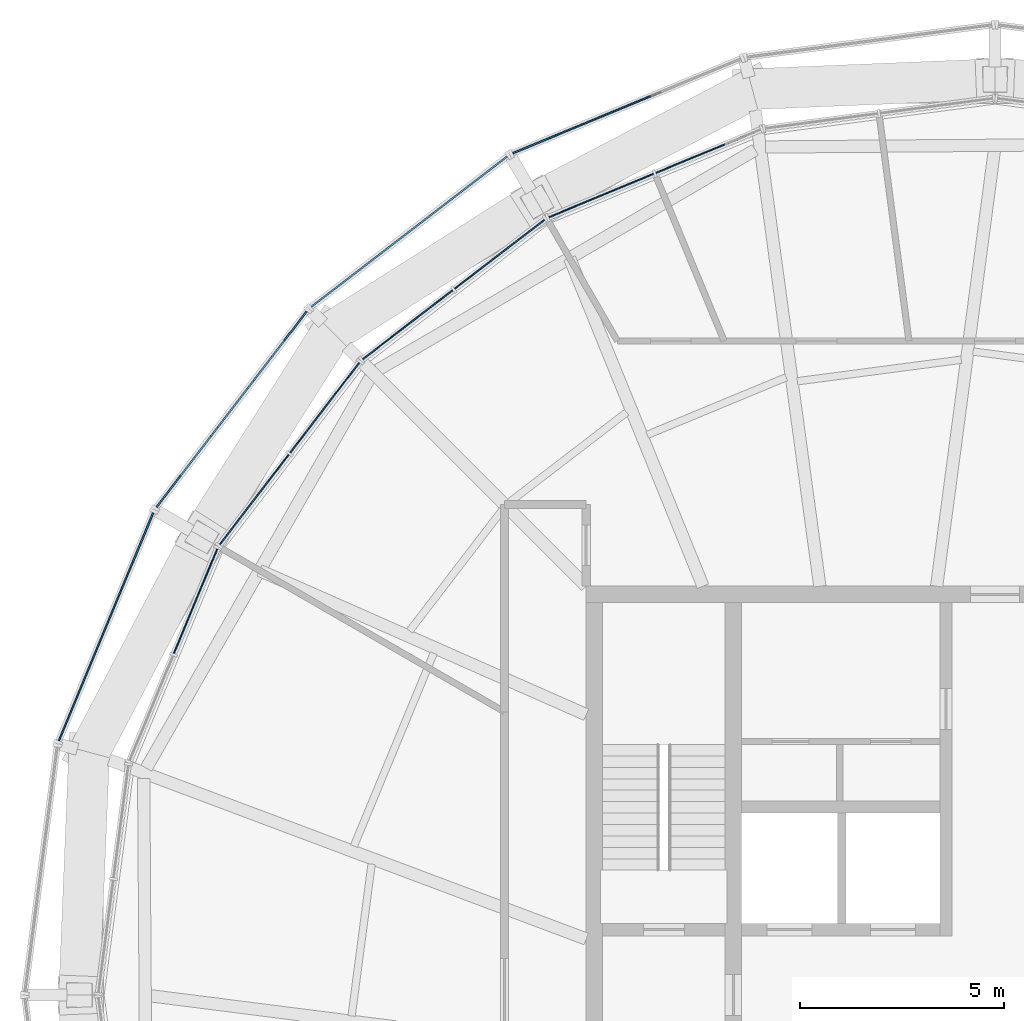
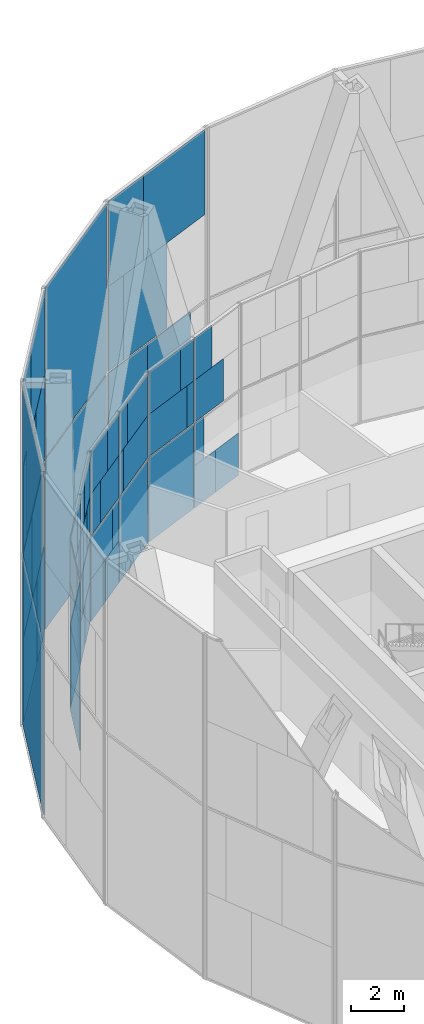
# One storey, part 16 of 22: 62 plates, 8 elements without a shape of their own.
"""IFC4 building model written with IfcOpenShell, lengths in metres."""

from ifc_helpers import new_model, si_unit, direction, frame, origin, origin_2d, place, context, subcontext, project, spatial, rectangle, extrude, material, layer, layer_set, type_object, element, aggregate, save


model = new_model("IFC4")

# Units and contexts
model_context = context("Model", 3, precision=1e-05, world=origin(), true_north=direction((0.0, 1.0)))
body_context = subcontext(model_context, "Body", "Model", "MODEL_VIEW")
ifc_project = project(units=[si_unit("LENGTHUNIT", "METRE"), si_unit("AREAUNIT", "SQUARE_METRE"), si_unit("VOLUMEUNIT", "CUBIC_METRE"), si_unit("PLANEANGLEUNIT", "RADIAN"), si_unit("MASSUNIT", "GRAM", prefix="KILO")], contexts=[model_context])

# Site, building, storey
site_placement = place(None, origin())
site = spatial("IfcSite", under=ifc_project, at=site_placement, CompositionType="ELEMENT")
building_placement = place(site_placement, origin())
building = spatial("IfcBuilding", under=site, at=building_placement, Name="Golbaran Civic Tower", CompositionType="ELEMENT")
storey_placement = place(building_placement, frame((0.0, 0.0, 264.0)))
storey = spatial("IfcBuildingStorey", under=building, at=storey_placement, Name="L64", CompositionType="ELEMENT", Elevation=264.0)

# Curtain wall, plates
ifc_material_1 = material(Name="Aluminium and glass", Category="aluminium")
curtain_wall_type_1 = type_object("IfcCurtainWallType", Name="INNER SKIN CURTAIN WALL EXECUTIVE", PredefinedType="NOTDEFINED", material=ifc_material_1)
curtain_wall_1_placement = place(storey_placement, origin())
curtain_wall_1 = element("IfcCurtainWall", 1, at=curtain_wall_1_placement, inside=storey, type_object=curtain_wall_type_1, Name="Inner skin L64 facet 8 CW2", ObjectType="INNER SKIN", PredefinedType="USERDEFINED")
ifc_material_2 = material(Name="Clear insulating glass", Category="glass")
ifc_layer_1 = layer(ifc_material_2, 0.031982421875, Name="Clear insulating glass")
ifc_layer_set_1 = layer_set([ifc_layer_1], Name="Clear insulating glass")
plate_type_1 = type_object("IfcPlateType", Name="INNER SKIN CURTAIN WALL EXECUTIVE GLAZED PANEL", PredefinedType="CURTAIN_PANEL", material=ifc_layer_set_1)
plate_1_placement = place(storey_placement, frame((-7.67724609375, 20.36328125, 0.06005859375), z_axis=(0.0, 0.0, 1.0), x_axis=(-0.923879532518, -0.382683432349, 0.0)))
plate_1 = element("IfcPlate", 2, at=plate_1_placement, type_object=plate_type_1, Name="CW2 panel 1.1 part 2", PredefinedType="CURTAIN_PANEL", context=body_context, shape_type="SweptSolid", body=[
    extrude(rectangle(XDim=1.339599609375, YDim=0.031982421875, at=origin_2d()), origin(), (0.0, 0.0, 1.0), 1.955078125),
])
plate_2_placement = place(storey_placement, frame((-8.01123046875, 20.22509765625, 2.014892578125), z_axis=(0.0, 0.0, 1.0), x_axis=(-0.923879532518, -0.382683432349, 0.0)))
plate_2 = element("IfcPlate", 3, at=plate_2_placement, type_object=plate_type_1, Name="CW2 panel 1.1 part 4", PredefinedType="CURTAIN_PANEL", context=body_context, shape_type="SweptSolid", body=[
    extrude(rectangle(XDim=0.61669921875, YDim=0.031982421875, at=origin_2d()), origin(), (0.0, 0.0, 1.0), 1.955078125),
])
plate_3_placement = place(storey_placement, frame((-9.6328125, 19.553466796875, 0.06005859375), z_axis=(0.0, 0.0, 1.0), x_axis=(-0.923879532518, -0.382683432349, 0.0)))
plate_3 = element("IfcPlate", 4, at=plate_3_placement, type_object=plate_type_1, Name="CW2 panel 2.1", PredefinedType="CURTAIN_PANEL", context=body_context, shape_type="SweptSolid", body=[
    extrude(rectangle(XDim=2.773681640625, YDim=0.031982421875, at=origin_2d()), origin(), (0.0, 0.0, 1.0), 3.909912109375),
])
plate_4_placement = place(storey_placement, frame((-9.818115234375, 19.4765625, 4.030029296875), z_axis=(0.0, 0.0, 1.0), x_axis=(-0.923879532518, -0.382683432349, 0.0)))
plate_4 = element("IfcPlate", 5, at=plate_4_placement, type_object=plate_type_1, Name="CW2 panel 2.2 part 2", PredefinedType="CURTAIN_PANEL", context=body_context, shape_type="SweptSolid", body=[
    extrude(rectangle(XDim=2.37255859375, YDim=0.031982421875, at=origin_2d()), origin(), (0.0, 0.0, 1.0), 1.955078125),
])
plate_5_placement = place(storey_placement, frame((-9.998779296875, 19.40185546875, 5.98486328125), z_axis=(0.0, 0.0, 1.0), x_axis=(-0.923879532518, -0.382683432349, 0.0)))
plate_5 = element("IfcPlate", 6, at=plate_5_placement, type_object=plate_type_1, Name="CW2 panel 2.2 part 4", PredefinedType="CURTAIN_PANEL", context=body_context, shape_type="SweptSolid", body=[
    extrude(rectangle(XDim=1.981689453125, YDim=0.031982421875, at=origin_2d()), origin(), (0.0, 0.0, 1.0), 1.955078125),
])

curtain_wall_2_placement = place(storey_placement, origin())
curtain_wall_2 = element("IfcCurtainWall", 7, at=curtain_wall_2_placement, inside=storey, type_object=curtain_wall_type_1, Name="Inner skin L64 facet 9 CW2", ObjectType="INNER SKIN", PredefinedType="USERDEFINED")
plate_6_placement = place(storey_placement, frame((-12.117431640625, 18.118896484375, 0.06005859375), z_axis=(0.0, 0.0, 1.0), x_axis=(-0.793353340196, -0.608761429133, 0.0)))
plate_6 = element("IfcPlate", 8, at=plate_6_placement, type_object=plate_type_1, Name="CW2 panel 1.1", PredefinedType="CURTAIN_PANEL", context=body_context, shape_type="SweptSolid", body=[
    extrude(rectangle(XDim=2.773681640625, YDim=0.031982421875, at=origin_2d()), origin(), (0.0, 0.0, 1.0), 3.909912109375),
])
plate_7_placement = place(storey_placement, frame((-11.9580078125, 18.2412109375, 4.030029296875), z_axis=(0.0, 0.0, 1.0), x_axis=(-0.793353340196, -0.608761429133, 0.0)))
plate_7 = element("IfcPlate", 9, at=plate_7_placement, type_object=plate_type_1, Name="CW2 panel 1.2 part 1", PredefinedType="CURTAIN_PANEL", context=body_context, shape_type="SweptSolid", body=[
    extrude(rectangle(XDim=2.3720703125, YDim=0.031982421875, at=origin_2d()), origin(), (0.0, 0.0, 1.0), 1.955078125),
])
plate_8_placement = place(storey_placement, frame((-11.80322265625, 18.35986328125, 5.98486328125), z_axis=(0.0, 0.0, 1.0), x_axis=(-0.793353340196, -0.608761429133, 0.0)))
plate_8 = element("IfcPlate", 10, at=plate_8_placement, type_object=plate_type_1, Name="CW2 panel 1.2 part 3", PredefinedType="CURTAIN_PANEL", context=body_context, shape_type="SweptSolid", body=[
    extrude(rectangle(XDim=1.98193359375, YDim=0.031982421875, at=origin_2d()), origin(), (0.0, 0.0, 1.0), 1.955078125),
])
plate_9_placement = place(storey_placement, frame((-13.796630859375, 16.830322265625, 0.06005859375), z_axis=(0.0, 0.0, 1.0), x_axis=(-0.793353340196, -0.608761429133, 0.0)))
plate_9 = element("IfcPlate", 11, at=plate_9_placement, type_object=plate_type_1, Name="CW2 panel 2.1 part 1", PredefinedType="CURTAIN_PANEL", context=body_context, shape_type="SweptSolid", body=[
    extrude(rectangle(XDim=1.340087890625, YDim=0.031982421875, at=origin_2d()), origin(), (0.0, 0.0, 1.0), 1.955078125),
])
plate_10_placement = place(storey_placement, frame((-13.509521484375, 17.05078125, 2.014892578125), z_axis=(0.0, 0.0, 1.0), x_axis=(-0.793353340196, -0.608761429133, 0.0)))
plate_10 = element("IfcPlate", 12, at=plate_10_placement, type_object=plate_type_1, Name="CW2 panel 2.1 part 3", PredefinedType="CURTAIN_PANEL", context=body_context, shape_type="SweptSolid", body=[
    extrude(rectangle(XDim=0.615966796875, YDim=0.031982421875, at=origin_2d()), origin(), (0.0, 0.0, 1.0), 1.955078125),
])
plate_11_placement = place(storey_placement, frame((-15.090087890625, 15.837890625, 4.030029296875), z_axis=(0.0, 0.0, 1.0), x_axis=(-0.793353340196, -0.608761429133, 0.0)))
plate_11 = element("IfcPlate", 13, at=plate_11_placement, type_object=plate_type_1, Name="CW2 panel 2.2 part 2", PredefinedType="CURTAIN_PANEL", context=body_context, shape_type="SweptSolid", body=[
    extrude(rectangle(XDim=0.946533203125, YDim=0.031982421875, at=origin_2d()), origin(), (0.0, 0.0, 1.0), 1.955078125),
])
plate_12_placement = place(storey_placement, frame((-14.80322265625, 16.057861328125, 5.98486328125), z_axis=(0.0, 0.0, 1.0), x_axis=(-0.793353340196, -0.608761429133, 0.0)))
plate_12 = element("IfcPlate", 14, at=plate_12_placement, type_object=plate_type_1, Name="CW2 panel 2.2 part 4", PredefinedType="CURTAIN_PANEL", context=body_context, shape_type="SweptSolid", body=[
    extrude(rectangle(XDim=1.669677734375, YDim=0.031982421875, at=origin_2d()), origin(), (0.0, 0.0, 1.0), 1.955078125),
])

curtain_wall_3_placement = place(storey_placement, origin())
curtain_wall_3 = element("IfcCurtainWall", 15, at=curtain_wall_3_placement, inside=storey, type_object=curtain_wall_type_1, Name="Inner skin L64 facet 10 CW2", ObjectType="INNER SKIN", PredefinedType="USERDEFINED")
plate_13_placement = place(storey_placement, frame((-16.83056640625, 13.796630859375, 0.06005859375), z_axis=(0.0, 0.0, 1.0), x_axis=(-0.608761429133, -0.793353340196, 0.0)))
plate_13 = element("IfcPlate", 16, at=plate_13_placement, type_object=plate_type_1, Name="CW2 panel 1.1 part 2", PredefinedType="CURTAIN_PANEL", context=body_context, shape_type="SweptSolid", body=[
    extrude(rectangle(XDim=1.339599609375, YDim=0.031982421875, at=origin_2d()), origin(), (0.0, 0.0, 1.0), 1.955078125),
])
plate_14_placement = place(storey_placement, frame((-17.050537109375, 13.509765625, 2.014892578125), z_axis=(0.0, 0.0, 1.0), x_axis=(-0.608761429133, -0.793353340196, 0.0)))
plate_14 = element("IfcPlate", 17, at=plate_14_placement, type_object=plate_type_1, Name="CW2 panel 1.1 part 4", PredefinedType="CURTAIN_PANEL", context=body_context, shape_type="SweptSolid", body=[
    extrude(rectangle(XDim=0.61669921875, YDim=0.031982421875, at=origin_2d()), origin(), (0.0, 0.0, 1.0), 1.955078125),
])
plate_15_placement = place(storey_placement, frame((-15.837646484375, 15.09033203125, 4.030029296875), z_axis=(0.0, 0.0, 1.0), x_axis=(-0.608761429133, -0.793353340196, 0.0)))
plate_15 = element("IfcPlate", 18, at=plate_15_placement, type_object=plate_type_1, Name="CW2 panel 1.2 part 1", PredefinedType="CURTAIN_PANEL", context=body_context, shape_type="SweptSolid", body=[
    extrude(rectangle(XDim=0.946044921875, YDim=0.031982421875, at=origin_2d()), origin(), (0.0, 0.0, 1.0), 1.955078125),
])
plate_16_placement = place(storey_placement, frame((-16.057861328125, 14.803466796875, 5.98486328125), z_axis=(0.0, 0.0, 1.0), x_axis=(-0.608761429133, -0.793353340196, 0.0)))
plate_16 = element("IfcPlate", 19, at=plate_16_placement, type_object=plate_type_1, Name="CW2 panel 1.2 part 3", PredefinedType="CURTAIN_PANEL", context=body_context, shape_type="SweptSolid", body=[
    extrude(rectangle(XDim=1.6689453125, YDim=0.031982421875, at=origin_2d()), origin(), (0.0, 0.0, 1.0), 1.955078125),
])
plate_17_placement = place(storey_placement, frame((-18.118896484375, 12.117431640625, 0.06005859375), z_axis=(0.0, 0.0, 1.0), x_axis=(-0.608761429133, -0.793353340196, 0.0)))
plate_17 = element("IfcPlate", 20, at=plate_17_placement, type_object=plate_type_1, Name="CW2 panel 2.1", PredefinedType="CURTAIN_PANEL", context=body_context, shape_type="SweptSolid", body=[
    extrude(rectangle(XDim=2.773681640625, YDim=0.031982421875, at=origin_2d()), origin(), (0.0, 0.0, 1.0), 3.909912109375),
])
plate_18_placement = place(storey_placement, frame((-18.240966796875, 11.958251953125, 4.030029296875), z_axis=(0.0, 0.0, 1.0), x_axis=(-0.608761429133, -0.793353340196, 0.0)))
plate_18 = element("IfcPlate", 21, at=plate_18_placement, type_object=plate_type_1, Name="CW2 panel 2.2 part 2", PredefinedType="CURTAIN_PANEL", context=body_context, shape_type="SweptSolid", body=[
    extrude(rectangle(XDim=2.37255859375, YDim=0.031982421875, at=origin_2d()), origin(), (0.0, 0.0, 1.0), 1.955078125),
])
plate_19_placement = place(storey_placement, frame((-18.360107421875, 11.80322265625, 5.98486328125), z_axis=(0.0, 0.0, 1.0), x_axis=(-0.608761429133, -0.793353340196, 0.0)))
plate_19 = element("IfcPlate", 22, at=plate_19_placement, type_object=plate_type_1, Name="CW2 panel 2.2 part 4", PredefinedType="CURTAIN_PANEL", context=body_context, shape_type="SweptSolid", body=[
    extrude(rectangle(XDim=1.981689453125, YDim=0.031982421875, at=origin_2d()), origin(), (0.0, 0.0, 1.0), 1.955078125),
])

curtain_wall_4_placement = place(storey_placement, origin())
curtain_wall_4 = element("IfcCurtainWall", 23, at=curtain_wall_4_placement, inside=storey, type_object=curtain_wall_type_1, Name="Inner skin L64 facet 11 CW2", ObjectType="INNER SKIN", PredefinedType="USERDEFINED")
plate_20_placement = place(storey_placement, frame((-19.553466796875, 9.6328125, 0.06005859375), z_axis=(0.0, 0.0, 1.0), x_axis=(-0.382683432349, -0.923879532518, 0.0)))
plate_20 = element("IfcPlate", 24, at=plate_20_placement, type_object=plate_type_1, Name="CW2 panel 1.1", PredefinedType="CURTAIN_PANEL", context=body_context, shape_type="SweptSolid", body=[
    extrude(rectangle(XDim=2.773681640625, YDim=0.031982421875, at=origin_2d()), origin(), (0.0, 0.0, 1.0), 3.909912109375),
])
plate_21_placement = place(storey_placement, frame((-19.4765625, 9.818359375, 4.030029296875), z_axis=(0.0, 0.0, 1.0), x_axis=(-0.382683432349, -0.923879532518, 0.0)))
plate_21 = element("IfcPlate", 25, at=plate_21_placement, type_object=plate_type_1, Name="CW2 panel 1.2 part 1", PredefinedType="CURTAIN_PANEL", context=body_context, shape_type="SweptSolid", body=[
    extrude(rectangle(XDim=2.3720703125, YDim=0.031982421875, at=origin_2d()), origin(), (0.0, 0.0, 1.0), 1.955078125),
])
plate_22_placement = place(storey_placement, frame((-19.40185546875, 9.99853515625, 5.98486328125), z_axis=(0.0, 0.0, 1.0), x_axis=(-0.382683432349, -0.923879532518, 0.0)))
plate_22 = element("IfcPlate", 26, at=plate_22_placement, type_object=plate_type_1, Name="CW2 panel 1.2 part 3", PredefinedType="CURTAIN_PANEL", context=body_context, shape_type="SweptSolid", body=[
    extrude(rectangle(XDim=1.98193359375, YDim=0.031982421875, at=origin_2d()), origin(), (0.0, 0.0, 1.0), 1.955078125),
])

# Plate
ifc_material_3 = material(Name="Aluminium faced opaque infill panel", Category="aluminium")
ifc_layer_2 = layer(ifc_material_3, 0.031982421875, Name="Aluminium faced opaque infill panel")
ifc_layer_set_2 = layer_set([ifc_layer_2], Name="Aluminium faced opaque infill panel")
plate_type_2 = type_object("IfcPlateType", Name="INNER SKIN CURTAIN WALL EXECUTIVE OPAQUE INFILL PANEL", PredefinedType="CURTAIN_PANEL", material=ifc_layer_set_2)
plate_23_placement = place(storey_placement, frame((-6.39599609375, 20.89404296875, 0.06005859375), z_axis=(0.0, 0.0, 1.0), x_axis=(-0.923879532518, -0.382683432349, 0.0)))
plate_23 = element("IfcPlate", 27, at=plate_23_placement, type_object=plate_type_2, Name="CW2 infill panel 1.1 part 1", PredefinedType="CURTAIN_PANEL", context=body_context, shape_type="SweptSolid", body=[
    extrude(rectangle(XDim=1.43408203125, YDim=0.031982421875, at=origin_2d()), origin(), (0.0, 0.0, 1.0), 1.955078125),
])

plate_24_placement = place(storey_placement, frame((-7.451904296875, 20.456787109375, 4.030029296875), z_axis=(0.0, 0.0, 1.0), x_axis=(-0.923879532518, -0.382683432349, 0.0)))
plate_24 = element("IfcPlate", 28, at=plate_24_placement, type_object=plate_type_2, Name="CW2 infill panel 1.2 part 2", PredefinedType="CURTAIN_PANEL", context=body_context, shape_type="SweptSolid", body=[
    extrude(rectangle(XDim=1.82763671875, YDim=0.031982421875, at=origin_2d()), origin(), (0.0, 0.0, 1.0), 1.955078125),
])

plate_25_placement = place(storey_placement, frame((-7.785888671875, 20.318359375, 5.98486328125), z_axis=(0.0, 0.0, 1.0), x_axis=(-0.923879532518, -0.382683432349, 0.0)))
plate_25 = element("IfcPlate", 29, at=plate_25_placement, type_object=plate_type_2, Name="CW2 infill panel 1.2 part 4", PredefinedType="CURTAIN_PANEL", context=body_context, shape_type="SweptSolid", body=[
    extrude(rectangle(XDim=1.1044921875, YDim=0.031982421875, at=origin_2d()), origin(), (0.0, 0.0, 1.0), 1.955078125),
])

plate_26_placement = place(storey_placement, frame((-8.536865234375, 20.00732421875, 4.030029296875), z_axis=(0.0, 0.0, 1.0), x_axis=(-0.923879532518, -0.382683432349, 0.0)))
plate_26 = element("IfcPlate", 30, at=plate_26_placement, type_object=plate_type_2, Name="CW2 infill panel 2.2 part 1", PredefinedType="CURTAIN_PANEL", context=body_context, shape_type="SweptSolid", body=[
    extrude(rectangle(XDim=0.40087890625, YDim=0.031982421875, at=origin_2d()), origin(), (0.0, 0.0, 1.0), 1.955078125),
])

plate_27_placement = place(storey_placement, frame((-8.717529296875, 19.9326171875, 5.98486328125), z_axis=(0.0, 0.0, 1.0), x_axis=(-0.923879532518, -0.382683432349, 0.0)))
plate_27 = element("IfcPlate", 31, at=plate_27_placement, type_object=plate_type_2, Name="CW2 infill panel 2.2 part 3", PredefinedType="CURTAIN_PANEL", context=body_context, shape_type="SweptSolid", body=[
    extrude(rectangle(XDim=0.7919921875, YDim=0.031982421875, at=origin_2d()), origin(), (0.0, 0.0, 1.0), 1.955078125),
])

aggregate(curtain_wall_1, [plate_23, plate_1, plate_2, plate_24, plate_25, plate_3, plate_26, plate_4, plate_27, plate_5])

plate_28_placement = place(storey_placement, frame((-13.058349609375, 17.39697265625, 4.030029296875), z_axis=(0.0, 0.0, 1.0), x_axis=(-0.793353340196, -0.608761429133, 0.0)))
plate_28 = element("IfcPlate", 32, at=plate_28_placement, type_object=plate_type_2, Name="CW2 infill panel 1.2 part 2", PredefinedType="CURTAIN_PANEL", context=body_context, shape_type="SweptSolid", body=[
    extrude(rectangle(XDim=0.401611328125, YDim=0.031982421875, at=origin_2d()), origin(), (0.0, 0.0, 1.0), 1.955078125),
])

plate_29_placement = place(storey_placement, frame((-12.903564453125, 17.515625, 5.98486328125), z_axis=(0.0, 0.0, 1.0), x_axis=(-0.793353340196, -0.608761429133, 0.0)))
plate_29 = element("IfcPlate", 33, at=plate_29_placement, type_object=plate_type_2, Name="CW2 infill panel 1.2 part 4", PredefinedType="CURTAIN_PANEL", context=body_context, shape_type="SweptSolid", body=[
    extrude(rectangle(XDim=0.79150390625, YDim=0.031982421875, at=origin_2d()), origin(), (0.0, 0.0, 1.0), 1.955078125),
])

plate_30_placement = place(storey_placement, frame((-14.89697265625, 15.986083984375, 0.06005859375), z_axis=(0.0, 0.0, 1.0), x_axis=(-0.793353340196, -0.608761429133, 0.0)))
plate_30 = element("IfcPlate", 34, at=plate_30_placement, type_object=plate_type_2, Name="CW2 infill panel 2.1 part 2", PredefinedType="CURTAIN_PANEL", context=body_context, shape_type="SweptSolid", body=[
    extrude(rectangle(XDim=1.43359375, YDim=0.031982421875, at=origin_2d()), origin(), (0.0, 0.0, 1.0), 1.955078125),
])

plate_31_placement = place(storey_placement, frame((-14.609619140625, 16.20654296875, 2.014892578125), z_axis=(0.0, 0.0, 1.0), x_axis=(-0.793353340196, -0.608761429133, 0.0)))
plate_31 = element("IfcPlate", 35, at=plate_31_placement, type_object=plate_type_2, Name="CW2 infill panel 2.1 part 4", PredefinedType="CURTAIN_PANEL", context=body_context, shape_type="SweptSolid", body=[
    extrude(rectangle(XDim=2.15771484375, YDim=0.031982421875, at=origin_2d()), origin(), (0.0, 0.0, 1.0), 1.955078125),
])

plate_32_placement = place(storey_placement, frame((-13.989990234375, 16.68212890625, 4.030029296875), z_axis=(0.0, 0.0, 1.0), x_axis=(-0.793353340196, -0.608761429133, 0.0)))
plate_32 = element("IfcPlate", 36, at=plate_32_placement, type_object=plate_type_2, Name="CW2 infill panel 2.2 part 1", PredefinedType="CURTAIN_PANEL", context=body_context, shape_type="SweptSolid", body=[
    extrude(rectangle(XDim=1.826904296875, YDim=0.031982421875, at=origin_2d()), origin(), (0.0, 0.0, 1.0), 1.955078125),
])

plate_33_placement = place(storey_placement, frame((-13.703125, 16.902099609375, 5.98486328125), z_axis=(0.0, 0.0, 1.0), x_axis=(-0.793353340196, -0.608761429133, 0.0)))
plate_33 = element("IfcPlate", 37, at=plate_33_placement, type_object=plate_type_2, Name="CW2 infill panel 2.2 part 3", PredefinedType="CURTAIN_PANEL", context=body_context, shape_type="SweptSolid", body=[
    extrude(rectangle(XDim=1.10400390625, YDim=0.031982421875, at=origin_2d()), origin(), (0.0, 0.0, 1.0), 1.955078125),
])

aggregate(curtain_wall_2, [plate_6, plate_7, plate_28, plate_8, plate_29, plate_9, plate_30, plate_10, plate_31, plate_32, plate_11, plate_33, plate_12])

plate_34_placement = place(storey_placement, frame((-15.986328125, 14.896728515625, 0.06005859375), z_axis=(0.0, 0.0, 1.0), x_axis=(-0.608761429133, -0.793353340196, 0.0)))
plate_34 = element("IfcPlate", 38, at=plate_34_placement, type_object=plate_type_2, Name="CW2 infill panel 1.1 part 1", PredefinedType="CURTAIN_PANEL", context=body_context, shape_type="SweptSolid", body=[
    extrude(rectangle(XDim=1.43408203125, YDim=0.031982421875, at=origin_2d()), origin(), (0.0, 0.0, 1.0), 1.955078125),
])

plate_35_placement = place(storey_placement, frame((-16.206298828125, 14.60986328125, 2.014892578125), z_axis=(0.0, 0.0, 1.0), x_axis=(-0.608761429133, -0.793353340196, 0.0)))
plate_35 = element("IfcPlate", 39, at=plate_35_placement, type_object=plate_type_2, Name="CW2 infill panel 1.1 part 3", PredefinedType="CURTAIN_PANEL", context=body_context, shape_type="SweptSolid", body=[
    extrude(rectangle(XDim=2.156982421875, YDim=0.031982421875, at=origin_2d()), origin(), (0.0, 0.0, 1.0), 1.955078125),
])

plate_36_placement = place(storey_placement, frame((-16.681884765625, 13.990234375, 4.030029296875), z_axis=(0.0, 0.0, 1.0), x_axis=(-0.608761429133, -0.793353340196, 0.0)))
plate_36 = element("IfcPlate", 40, at=plate_36_placement, type_object=plate_type_2, Name="CW2 infill panel 1.2 part 2", PredefinedType="CURTAIN_PANEL", context=body_context, shape_type="SweptSolid", body=[
    extrude(rectangle(XDim=1.82763671875, YDim=0.031982421875, at=origin_2d()), origin(), (0.0, 0.0, 1.0), 1.955078125),
])

plate_37_placement = place(storey_placement, frame((-16.902099609375, 13.703369140625, 5.98486328125), z_axis=(0.0, 0.0, 1.0), x_axis=(-0.608761429133, -0.793353340196, 0.0)))
plate_37 = element("IfcPlate", 41, at=plate_37_placement, type_object=plate_type_2, Name="CW2 infill panel 1.2 part 4", PredefinedType="CURTAIN_PANEL", context=body_context, shape_type="SweptSolid", body=[
    extrude(rectangle(XDim=1.1044921875, YDim=0.031982421875, at=origin_2d()), origin(), (0.0, 0.0, 1.0), 1.955078125),
])

plate_38_placement = place(storey_placement, frame((-17.396728515625, 13.05859375, 4.030029296875), z_axis=(0.0, 0.0, 1.0), x_axis=(-0.608761429133, -0.793353340196, 0.0)))
plate_38 = element("IfcPlate", 42, at=plate_38_placement, type_object=plate_type_2, Name="CW2 infill panel 2.2 part 1", PredefinedType="CURTAIN_PANEL", context=body_context, shape_type="SweptSolid", body=[
    extrude(rectangle(XDim=0.40087890625, YDim=0.031982421875, at=origin_2d()), origin(), (0.0, 0.0, 1.0), 1.955078125),
])

plate_39_placement = place(storey_placement, frame((-17.515869140625, 12.9033203125, 5.98486328125), z_axis=(0.0, 0.0, 1.0), x_axis=(-0.608761429133, -0.793353340196, 0.0)))
plate_39 = element("IfcPlate", 43, at=plate_39_placement, type_object=plate_type_2, Name="CW2 infill panel 2.2 part 3", PredefinedType="CURTAIN_PANEL", context=body_context, shape_type="SweptSolid", body=[
    extrude(rectangle(XDim=0.7919921875, YDim=0.031982421875, at=origin_2d()), origin(), (0.0, 0.0, 1.0), 1.955078125),
])

aggregate(curtain_wall_3, [plate_34, plate_13, plate_35, plate_14, plate_15, plate_36, plate_16, plate_37, plate_17, plate_38, plate_18, plate_39, plate_19])

plate_40_placement = place(storey_placement, frame((-20.00732421875, 8.537109375, 4.030029296875), z_axis=(0.0, 0.0, 1.0), x_axis=(-0.382683432349, -0.923879532518, 0.0)))
plate_40 = element("IfcPlate", 44, at=plate_40_placement, type_object=plate_type_2, Name="CW2 infill panel 1.2 part 2", PredefinedType="CURTAIN_PANEL", context=body_context, shape_type="SweptSolid", body=[
    extrude(rectangle(XDim=0.401611328125, YDim=0.031982421875, at=origin_2d()), origin(), (0.0, 0.0, 1.0), 1.955078125),
])

plate_41_placement = place(storey_placement, frame((-19.9326171875, 8.71728515625, 5.98486328125), z_axis=(0.0, 0.0, 1.0), x_axis=(-0.382683432349, -0.923879532518, 0.0)))
plate_41 = element("IfcPlate", 45, at=plate_41_placement, type_object=plate_type_2, Name="CW2 infill panel 1.2 part 4", PredefinedType="CURTAIN_PANEL", context=body_context, shape_type="SweptSolid", body=[
    extrude(rectangle(XDim=0.79150390625, YDim=0.031982421875, at=origin_2d()), origin(), (0.0, 0.0, 1.0), 1.955078125),
])

aggregate(curtain_wall_4, [plate_20, plate_21, plate_40, plate_22, plate_41])

# Curtain wall, plates
curtain_wall_type_2 = type_object("IfcCurtainWallType", Name="OUTER SKIN TERRACOTTA SCREEN", PredefinedType="NOTDEFINED", material=ifc_material_1)
curtain_wall_5_placement = place(storey_placement, origin())
curtain_wall_5 = element("IfcCurtainWall", 46, at=curtain_wall_5_placement, inside=storey, type_object=curtain_wall_type_2, Name="Outer skin L64 facet 8 CW3", ObjectType="OUTER SKIN", PredefinedType="USERDEFINED")
ifc_material_4 = material(Name="Clear laminated glass", Category="glass")
ifc_layer_3 = layer(ifc_material_4, 0.0400390625, Name="Clear laminated glass")
ifc_layer_set_3 = layer_set([ifc_layer_3], Name="Clear laminated glass")
plate_type_3 = type_object("IfcPlateType", Name="OUTER SKIN CLEAR GLASS PANEL", PredefinedType="CURTAIN_PANEL", material=ifc_layer_set_3)
plate_42_placement = place(storey_placement, frame((-9.989501953125, 21.336181640625, -0.6298828125), z_axis=(0.0, 0.0, 1.0), x_axis=(-0.923879532525, -0.382683432333, 0.0)))
plate_42 = element("IfcPlate", 47, at=plate_42_placement, type_object=plate_type_3, Name="CW3 panel 1.1 part 2", PredefinedType="CURTAIN_PANEL", context=body_context, shape_type="SweptSolid", body=[
    extrude(rectangle(XDim=3.908935546875, YDim=0.0400390625, at=origin_2d()), origin(), (0.0, 0.0, 1.0), 3.93994140625),
])
plate_43_placement = place(storey_placement, frame((-10.66259765625, 21.057373046875, 3.31005859375), z_axis=(0.0, 0.0, 1.0), x_axis=(-0.923879532525, -0.382683432333, 0.0)))
plate_43 = element("IfcPlate", 48, at=plate_43_placement, type_object=plate_type_3, Name="CW3 panel 1.1 part 5", PredefinedType="CURTAIN_PANEL", context=body_context, shape_type="SweptSolid", body=[
    extrude(rectangle(XDim=2.451904296875, YDim=0.0400390625, at=origin_2d()), origin(), (0.0, 0.0, 1.0), 3.93994140625),
])
plate_44_placement = place(storey_placement, frame((-11.349365234375, 20.77294921875, 7.330078125), z_axis=(0.0, 0.0, 1.0), x_axis=(-0.923879532525, -0.382683432333, 0.0)))
plate_44 = element("IfcPlate", 49, at=plate_44_placement, type_object=plate_type_3, Name="CW3 panel 1.2 part 3", PredefinedType="CURTAIN_PANEL", context=body_context, shape_type="SweptSolid", body=[
    extrude(rectangle(XDim=0.96484375, YDim=0.0400390625, at=origin_2d()), origin(), (0.0, 0.0, 1.0), 3.93994140625),
])
plate_45_placement = place(storey_placement, frame((-7.9970703125, 22.161376953125, 11.27001953125), z_axis=(0.0, 0.0, 1.0), x_axis=(-0.923879532525, -0.382683432333, 0.0)))
plate_45 = element("IfcPlate", 50, at=plate_45_placement, type_object=plate_type_3, Name="CW3 panel 1.2 part 4", PredefinedType="CURTAIN_PANEL", context=body_context, shape_type="SweptSolid", body=[
    extrude(rectangle(XDim=3.85205078125, YDim=0.0400390625, at=origin_2d()), origin(), (0.0, 0.0, 1.0), 3.93994140625),
])

curtain_wall_6_placement = place(storey_placement, origin())
curtain_wall_6 = element("IfcCurtainWall", 51, at=curtain_wall_6_placement, inside=storey, type_object=curtain_wall_type_2, Name="Outer skin L64 facet 10 CW3", ObjectType="OUTER SKIN", PredefinedType="USERDEFINED")
plate_46_placement = place(storey_placement, frame((-19.3193359375, 13.48291015625, -0.6298828125), z_axis=(0.0, 0.0, 1.0), x_axis=(-0.608761428967, -0.793353340323, 0.0)))
plate_46 = element("IfcPlate", 52, at=plate_46_placement, type_object=plate_type_3, Name="CW3 panel 1.1 part 2", PredefinedType="CURTAIN_PANEL", context=body_context, shape_type="SweptSolid", body=[
    extrude(rectangle(XDim=3.908935546875, YDim=0.0400390625, at=origin_2d()), origin(), (0.0, 0.0, 1.0), 3.93994140625),
])
plate_47_placement = place(storey_placement, frame((-17.1064453125, 16.36669921875, 3.31005859375), z_axis=(0.0, 0.0, 1.0), x_axis=(-0.608761428967, -0.793353340323, 0.0)))
plate_47 = element("IfcPlate", 53, at=plate_47_placement, type_object=plate_type_3, Name="CW3 panel 1.1 part 3", PredefinedType="CURTAIN_PANEL", context=body_context, shape_type="SweptSolid", body=[
    extrude(rectangle(XDim=0.89501953125, YDim=0.0400390625, at=origin_2d()), origin(), (0.0, 0.0, 1.0), 3.93994140625),
])
plate_48_placement = place(storey_placement, frame((-19.7626953125, 12.905029296875, 3.31005859375), z_axis=(0.0, 0.0, 1.0), x_axis=(-0.608761428967, -0.793353340323, 0.0)))
plate_48 = element("IfcPlate", 54, at=plate_48_placement, type_object=plate_type_3, Name="CW3 panel 1.1 part 5", PredefinedType="CURTAIN_PANEL", context=body_context, shape_type="SweptSolid", body=[
    extrude(rectangle(XDim=2.451904296875, YDim=0.0400390625, at=origin_2d()), origin(), (0.0, 0.0, 1.0), 3.93994140625),
])
plate_49_placement = place(storey_placement, frame((-17.559326171875, 15.776611328125, 7.330078125), z_axis=(0.0, 0.0, 1.0), x_axis=(-0.608761428967, -0.793353340323, 0.0)))
plate_49 = element("IfcPlate", 55, at=plate_49_placement, type_object=plate_type_3, Name="CW3 panel 1.2 part 1", PredefinedType="CURTAIN_PANEL", context=body_context, shape_type="SweptSolid", body=[
    extrude(rectangle(XDim=2.383056640625, YDim=0.0400390625, at=origin_2d()), origin(), (0.0, 0.0, 1.0), 3.93994140625),
])
plate_50_placement = place(storey_placement, frame((-20.21533203125, 12.315185546875, 7.330078125), z_axis=(0.0, 0.0, 1.0), x_axis=(-0.608761428967, -0.793353340323, 0.0)))
plate_50 = element("IfcPlate", 56, at=plate_50_placement, type_object=plate_type_3, Name="CW3 panel 1.2 part 3", PredefinedType="CURTAIN_PANEL", context=body_context, shape_type="SweptSolid", body=[
    extrude(rectangle(XDim=0.96484375, YDim=0.0400390625, at=origin_2d()), origin(), (0.0, 0.0, 1.0), 3.93994140625),
])
plate_51_placement = place(storey_placement, frame((-18.006591796875, 15.19384765625, 11.27001953125), z_axis=(0.0, 0.0, 1.0), x_axis=(-0.608761428967, -0.793353340323, 0.0)))
plate_51 = element("IfcPlate", 57, at=plate_51_placement, type_object=plate_type_3, Name="CW3 panel 1.2 part 4", PredefinedType="CURTAIN_PANEL", context=body_context, shape_type="SweptSolid", body=[
    extrude(rectangle(XDim=3.85205078125, YDim=0.0400390625, at=origin_2d()), origin(), (0.0, 0.0, 1.0), 3.93994140625),
])

# Plate
ifc_material_5 = material(Name="Terracotta baguette screen", Category="masonry")
ifc_layer_4 = layer(ifc_material_5, 0.0400390625, Name="Terracotta baguette screen")
ifc_layer_set_4 = layer_set([ifc_layer_4], Name="Terracotta baguette screen")
plate_type_4 = type_object("IfcPlateType", Name="OUTER SKIN TERRACOTTA INFILL PANEL", PredefinedType="CURTAIN_PANEL", material=ifc_layer_set_4)
plate_52_placement = place(storey_placement, frame((-8.287353515625, 22.041259765625, 3.31005859375), z_axis=(0.0, 0.0, 1.0), x_axis=(-0.923879532525, -0.382683432333, 0.0)))
plate_52 = element("IfcPlate", 58, at=plate_52_placement, type_object=plate_type_4, Name="CW3 infill panel 1.1 part 4", PredefinedType="CURTAIN_PANEL", context=body_context, shape_type="SweptSolid", body=[
    extrude(rectangle(XDim=2.68994140625, YDim=0.0400390625, at=origin_2d()), origin(), (0.0, 0.0, 1.0), 3.93994140625),
])

plate_53_placement = place(storey_placement, frame((-9.66162109375, 21.47216796875, 7.330078125), z_axis=(0.0, 0.0, 1.0), x_axis=(-0.923879532525, -0.382683432333, 0.0)))
plate_53 = element("IfcPlate", 59, at=plate_53_placement, type_object=plate_type_4, Name="CW3 infill panel 1.2 part 2", PredefinedType="CURTAIN_PANEL", context=body_context, shape_type="SweptSolid", body=[
    extrude(rectangle(XDim=2.68896484375, YDim=0.0400390625, at=origin_2d()), origin(), (0.0, 0.0, 1.0), 3.93994140625),
])

plate_54_placement = place(storey_placement, frame((-10.785888671875, 21.00634765625, 11.27001953125), z_axis=(0.0, 0.0, 1.0), x_axis=(-0.923879532525, -0.382683432333, 0.0)))
plate_54 = element("IfcPlate", 60, at=plate_54_placement, type_object=plate_type_4, Name="CW3 infill panel 1.2 part 5", PredefinedType="CURTAIN_PANEL", context=body_context, shape_type="SweptSolid", body=[
    extrude(rectangle(XDim=2.184814453125, YDim=0.0400390625, at=origin_2d()), origin(), (0.0, 0.0, 1.0), 3.93994140625),
])

aggregate(curtain_wall_5, [plate_42, plate_52, plate_43, plate_53, plate_44, plate_45, plate_54])

plate_55_placement = place(storey_placement, frame((-17.481689453125, 15.877685546875, -0.6298828125), z_axis=(0.0, 0.0, 1.0), x_axis=(-0.608761428967, -0.793353340323, 0.0)))
plate_55 = element("IfcPlate", 61, at=plate_55_placement, type_object=plate_type_4, Name="CW3 infill panel 1.1 part 1", PredefinedType="CURTAIN_PANEL", context=body_context, shape_type="SweptSolid", body=[
    extrude(rectangle(XDim=2.1279296875, YDim=0.0400390625, at=origin_2d()), origin(), (0.0, 0.0, 1.0), 3.93994140625),
])

plate_56_placement = place(storey_placement, frame((-18.197509765625, 14.94482421875, 3.31005859375), z_axis=(0.0, 0.0, 1.0), x_axis=(-0.608761428967, -0.793353340323, 0.0)))
plate_56 = element("IfcPlate", 62, at=plate_56_placement, type_object=plate_type_4, Name="CW3 infill panel 1.1 part 4", PredefinedType="CURTAIN_PANEL", context=body_context, shape_type="SweptSolid", body=[
    extrude(rectangle(XDim=2.68994140625, YDim=0.0400390625, at=origin_2d()), origin(), (0.0, 0.0, 1.0), 3.93994140625),
])

plate_57_placement = place(storey_placement, frame((-19.103271484375, 13.7646484375, 7.330078125), z_axis=(0.0, 0.0, 1.0), x_axis=(-0.608761428967, -0.793353340323, 0.0)))
plate_57 = element("IfcPlate", 63, at=plate_57_placement, type_object=plate_type_4, Name="CW3 infill panel 1.2 part 2", PredefinedType="CURTAIN_PANEL", context=body_context, shape_type="SweptSolid", body=[
    extrude(rectangle(XDim=2.68896484375, YDim=0.0400390625, at=origin_2d()), origin(), (0.0, 0.0, 1.0), 3.93994140625),
])

plate_58_placement = place(storey_placement, frame((-19.843994140625, 12.799072265625, 11.27001953125), z_axis=(0.0, 0.0, 1.0), x_axis=(-0.608761428967, -0.793353340323, 0.0)))
plate_58 = element("IfcPlate", 64, at=plate_58_placement, type_object=plate_type_4, Name="CW3 infill panel 1.2 part 5", PredefinedType="CURTAIN_PANEL", context=body_context, shape_type="SweptSolid", body=[
    extrude(rectangle(XDim=2.184814453125, YDim=0.0400390625, at=origin_2d()), origin(), (0.0, 0.0, 1.0), 3.93994140625),
])

aggregate(curtain_wall_6, [plate_55, plate_46, plate_47, plate_56, plate_48, plate_49, plate_57, plate_50, plate_51, plate_58])

# Curtain wall, plates
curtain_wall_7_placement = place(storey_placement, origin())
curtain_wall_7 = element("IfcCurtainWall", 65, at=curtain_wall_7_placement, inside=storey, type_object=curtain_wall_type_2, Name="Outer skin L64 facet 9 CW3", ObjectType="OUTER SKIN", PredefinedType="USERDEFINED")
ifc_layer_5 = layer(ifc_material_5, 0.0400390625, Name="Terracotta baguette screen")
ifc_layer_set_5 = layer_set([ifc_layer_5], Name="Terracotta baguette screen")
plate_type_5 = type_object("IfcPlateType", Name="OUTER SKIN TERRACOTTA SCREEN PANEL", PredefinedType="CURTAIN_PANEL", material=ifc_layer_set_5)
plate_59_placement = place(storey_placement, frame((-14.3271484375, 18.67138671875, -0.6298828125), z_axis=(0.0, 0.0, 1.0), x_axis=(-0.793353340323, -0.608761428967, 0.0)))
plate_59 = element("IfcPlate", 66, at=plate_59_placement, type_object=plate_type_5, Name="CW3 terracotta screen panel 1.1", PredefinedType="CURTAIN_PANEL", context=body_context, shape_type="SweptSolid", body=[
    extrude(rectangle(XDim=6.036865234375, YDim=0.0400390625, at=origin_2d()), origin(), (0.0, 0.0, 1.0), 7.8798828125),
])
plate_60_placement = place(storey_placement, frame((-14.3271484375, 18.67138671875, 7.330078125), z_axis=(0.0, 0.0, 1.0), x_axis=(-0.793353340323, -0.608761428967, 0.0)))
plate_60 = element("IfcPlate", 67, at=plate_60_placement, type_object=plate_type_5, Name="CW3 terracotta screen panel 1.2", PredefinedType="CURTAIN_PANEL", context=body_context, shape_type="SweptSolid", body=[
    extrude(rectangle(XDim=6.036865234375, YDim=0.0400390625, at=origin_2d()), origin(), (0.0, 0.0, 1.0), 7.8798828125),
])
aggregate(curtain_wall_7, [plate_59, plate_60])

curtain_wall_8_placement = place(storey_placement, origin())
curtain_wall_8 = element("IfcCurtainWall", 68, at=curtain_wall_8_placement, inside=storey, type_object=curtain_wall_type_2, Name="Outer skin L64 facet 11 CW3", ObjectType="OUTER SKIN", PredefinedType="USERDEFINED")
plate_61_placement = place(storey_placement, frame((-21.743408203125, 9.00634765625, -0.6298828125), z_axis=(0.0, 0.0, 1.0), x_axis=(-0.382683432333, -0.923879532525, 0.0)))
plate_61 = element("IfcPlate", 69, at=plate_61_placement, type_object=plate_type_5, Name="CW3 terracotta screen panel 1.1", PredefinedType="CURTAIN_PANEL", context=body_context, shape_type="SweptSolid", body=[
    extrude(rectangle(XDim=6.036865234375, YDim=0.0400390625, at=origin_2d()), origin(), (0.0, 0.0, 1.0), 7.8798828125),
])
plate_62_placement = place(storey_placement, frame((-21.743408203125, 9.00634765625, 7.330078125), z_axis=(0.0, 0.0, 1.0), x_axis=(-0.382683432333, -0.923879532525, 0.0)))
plate_62 = element("IfcPlate", 70, at=plate_62_placement, type_object=plate_type_5, Name="CW3 terracotta screen panel 1.2", PredefinedType="CURTAIN_PANEL", context=body_context, shape_type="SweptSolid", body=[
    extrude(rectangle(XDim=6.036865234375, YDim=0.0400390625, at=origin_2d()), origin(), (0.0, 0.0, 1.0), 7.8798828125),
])
aggregate(curtain_wall_8, [plate_61, plate_62])

save(model, "model.ifc")
